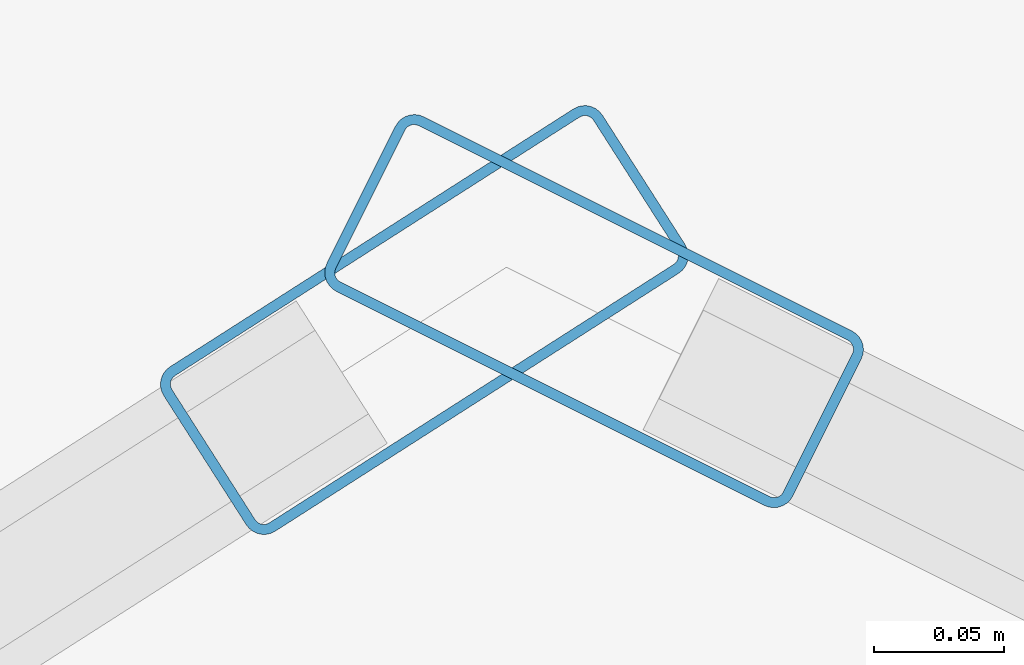
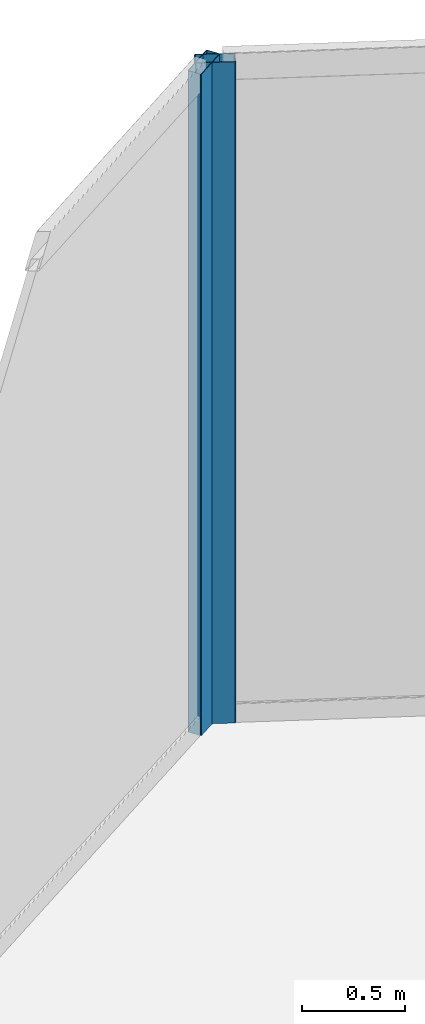
# One storey, part 23 of 34: 2 members, 2 elements without a shape of their own.
"""IFC4 building model written with IfcOpenShell, lengths in metres."""

from ifc_helpers import new_model, si_unit, direction, frame, origin, origin_2d, place, context, subcontext, project, spatial, hollow_rectangle, extrude, material, layer, layer_set, material_profile, profile_set, type_object, element, aggregate, save


model = new_model("IFC4")

# Units and contexts
model_context = context("Model", 3, precision=1e-05, world=origin(), true_north=direction((0.0, 1.0)))
body_context = subcontext(model_context, "Body", "Model", "MODEL_VIEW")
ifc_project = project(units=[si_unit("LENGTHUNIT", "METRE"), si_unit("AREAUNIT", "SQUARE_METRE"), si_unit("VOLUMEUNIT", "CUBIC_METRE"), si_unit("PLANEANGLEUNIT", "RADIAN"), si_unit("MASSUNIT", "GRAM", prefix="KILO")], contexts=[model_context])

# Site, building, storey
site_placement = place(None, origin())
site = spatial("IfcSite", under=ifc_project, at=site_placement, CompositionType="ELEMENT")
building_placement = place(site_placement, origin())
building = spatial("IfcBuilding", under=site, at=building_placement, Name="Qorvath Tower", CompositionType="ELEMENT")
storey_placement = place(building_placement, frame((0.0, 0.0, 268.199951171875)))
storey = spatial("IfcBuildingStorey", under=building, at=storey_placement, Name="L62", CompositionType="ELEMENT", Elevation=268.199951171875)

# Curtain wall, member
ifc_material_1 = material(Name="Anodised aluminium and triple low-E glass", Category="aluminium")
ifc_layer = layer(ifc_material_1, 0.179931640625)
ifc_layer_set = layer_set([ifc_layer], Name="CW-SYS-4")
curtain_wall_type = type_object("IfcCurtainWallType", Name="CW-SYS-4", PredefinedType="NOTDEFINED", material=ifc_layer_set)
curtain_wall_1_placement = place(storey_placement, origin())
curtain_wall_1 = element("IfcCurtainWall", 1, at=curtain_wall_1_placement, inside=storey, type_object=curtain_wall_type, Name="Curtain Wall CW-4 CW-T-L62-15.1", PredefinedType="NOTDEFINED")
ifc_material_2 = material(Name="Anodised aluminium 6063-T6", Category="aluminium")
ifc_material_profile = material_profile(ifc_material_2, hollow_rectangle(XDim=0.074951171875, YDim=0.199951171875, WallThickness=0.00390625, InnerFilletRadius=0.00390625, OuterFilletRadius=0.008056640625, at=origin_2d()), Name="CWM 200x75")
ifc_profile_set = profile_set([ifc_material_profile], Name="Anodised aluminium 6063-T6")
member_type = type_object("IfcMemberType", Name="CWM-200", PredefinedType="MULLION", material=ifc_profile_set)
member_1_placement = place(storey_placement, frame((-17.950439453125, 24.030517578125, 0.0), z_axis=(0.0, 0.0, 1.0), x_axis=(-0.447244838324, -0.894411568906, 0.0)))
member_1 = element("IfcMember", 2, at=member_1_placement, type_object=member_type, Name="CW-4 mullion 2", PredefinedType="MULLION", context=body_context, shape_type="SweptSolid", body=[
    extrude(hollow_rectangle(XDim=0.074951171875, YDim=0.199951171875, WallThickness=0.00390625, InnerFilletRadius=0.00390625, OuterFilletRadius=0.008056640625, at=origin_2d()), origin(), (0.0, 0.0, 1.0), 3.91015625),
])
aggregate(curtain_wall_1, [member_1])

curtain_wall_2_placement = place(storey_placement, origin())
curtain_wall_2 = element("IfcCurtainWall", 3, at=curtain_wall_2_placement, inside=storey, type_object=curtain_wall_type, Name="Curtain Wall CW-4 CW-T-L62-16.1", PredefinedType="NOTDEFINED")
member_2_placement = place(storey_placement, frame((-18.015625, 24.027099609375, 0.0), z_axis=(0.0, 0.0, 1.0), x_axis=(0.538533509281, -0.842604094093, 0.0)))
member_2 = element("IfcMember", 4, at=member_2_placement, type_object=member_type, Name="CW-4 mullion 1", PredefinedType="MULLION", context=body_context, shape_type="SweptSolid", body=[
    extrude(hollow_rectangle(XDim=0.074951171875, YDim=0.199951171875, WallThickness=0.00390625, InnerFilletRadius=0.00390625, OuterFilletRadius=0.008056640625, at=origin_2d()), origin(), (0.0, 0.0, 1.0), 3.91015625),
])
aggregate(curtain_wall_2, [member_2])

save(model, "model.ifc")
